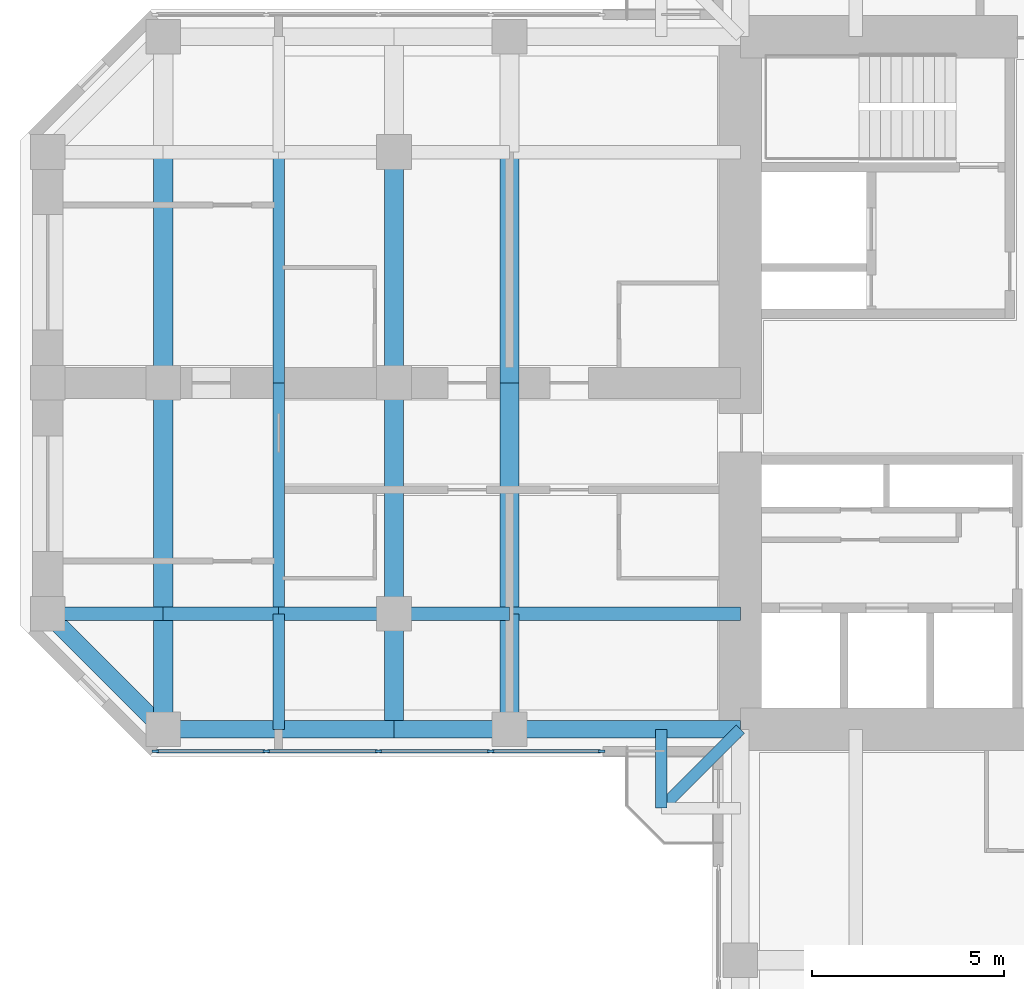
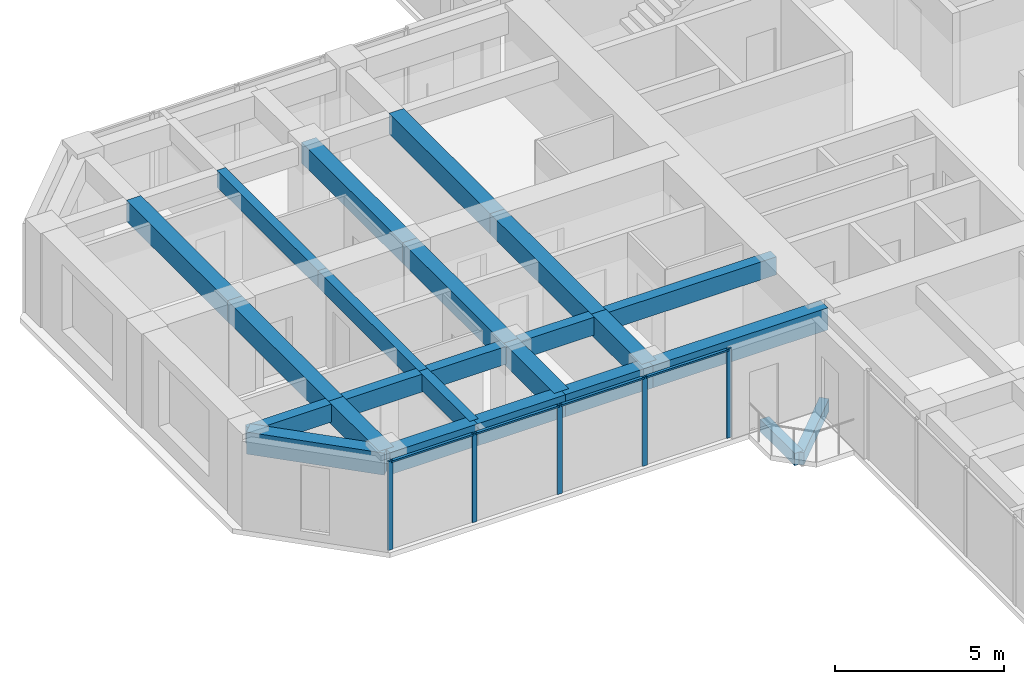
# One storey, part 3 of 13: 24 beams, 9 members, 1 element without a shape of its own.
"""IFC4 building model written with IfcOpenShell, lengths in metres."""

from ifc_helpers import new_model, si_unit, direction, frame, origin, origin_2d, place, context, subcontext, project, spatial, rectangle, extrude, material, material_profile, profile_set, type_object, element, aggregate, save


model = new_model("IFC4")

# Units and contexts
model_context = context("Model", 3, precision=1e-05, world=origin(), true_north=direction((0.0, 1.0)))
body_context = subcontext(model_context, "Body", "Model", "MODEL_VIEW")
ifc_project = project(units=[si_unit("LENGTHUNIT", "METRE"), si_unit("AREAUNIT", "SQUARE_METRE"), si_unit("VOLUMEUNIT", "CUBIC_METRE"), si_unit("PLANEANGLEUNIT", "RADIAN"), si_unit("MASSUNIT", "GRAM", prefix="KILO")], contexts=[model_context])

# Site, building, storey
site_placement = place(None, origin())
site = spatial("IfcSite", under=ifc_project, at=site_placement, CompositionType="ELEMENT")
building_placement = place(site_placement, origin())
building = spatial("IfcBuilding", under=site, at=building_placement, Name="Torre Cruceta", CompositionType="ELEMENT")
storey_placement = place(building_placement, frame((0.0, 0.0, 189.89990234375)))
storey = spatial("IfcBuildingStorey", under=building, at=storey_placement, Name="L47", CompositionType="ELEMENT", Elevation=189.89990234375)

# Beams
ifc_material_1 = material(Name="Concrete G60 (fck 60 MPa)", Category="concrete")
ifc_material_profile_1 = material_profile(ifc_material_1, rectangle(XDim=0.300048828125, YDim=0.449951171875, at=origin_2d()), Name="RC 300X450")
ifc_profile_set_1 = profile_set([ifc_material_profile_1], Name="Concrete G60 (fck 60 MPa)")
beam_type_1 = type_object("IfcBeamType", Name="BALCONY CANTILEVER BEAM RC 300X450", PredefinedType="BEAM", material=ifc_profile_set_1)
beam_1_placement = place(storey_placement, frame((-9.0, -9.0, -0.40478515625), z_axis=(-0.707106781187, -0.707106781187, 0.0), x_axis=(0.707106781187, -0.707106781187, 0.0)))
element("IfcBeam", 1, at=beam_1_placement, inside=storey, type_object=beam_type_1, Name="BB1 balcony beam L47 W", PredefinedType="BEAM", context=body_context, shape_type="SweptSolid", body=[
    extrude(rectangle(XDim=0.300048828125, YDim=0.449951171875, at=origin_2d()), origin(), (0.0, 0.0, 1.0), 2.89990234375),
])
beam_2_placement = place(storey_placement, frame((-11.050537109375, -9.0, -0.40478515625), z_axis=(0.0, -1.0, 0.0), x_axis=(1.0, 0.0, 0.0)))
element("IfcBeam", 2, at=beam_2_placement, inside=storey, type_object=beam_type_1, Name="BB1 balcony edge beam L47 W-X", PredefinedType="BEAM", context=body_context, shape_type="SweptSolid", body=[
    extrude(rectangle(XDim=0.300048828125, YDim=0.449951171875, at=origin_2d()), origin(), (0.0, 0.0, 1.0), 2.050537109375),
])
ifc_material_2 = material(Name="Concrete G60 (fck 60 MPa)", Category="concrete")
ifc_material_profile_2 = material_profile(ifc_material_2, rectangle(XDim=0.35009765625, YDim=0.64990234375, at=origin_2d()), Name="RC 350X650")
ifc_profile_set_2 = profile_set([ifc_material_profile_2], Name="Concrete G60 (fck 60 MPa)")
beam_type_2 = type_object("IfcBeamType", Name="COLUMN LINE BEAM RC 350X650", PredefinedType="BEAM", material=ifc_profile_set_2)
beam_3_placement = place(storey_placement, frame((-9.0, -6.0, 2.89501953125), z_axis=(-1.0, 0.0, 0.0), x_axis=(0.0, -1.0, 0.0)))
element("IfcBeam", 3, at=beam_3_placement, inside=storey, type_object=beam_type_2, Name="LB7 L47 W col+ 1", PredefinedType="BEAM", context=body_context, shape_type="SweptSolid", body=[
    extrude(rectangle(XDim=0.35009765625, YDim=0.64990234375, at=origin_2d()), origin(), (0.0, 0.0, 1.0), 6.0),
])
for number, where, z_axis, x_axis, name in (
    (4, (-15.0, -6.0, 2.89501953125), (-1.0, 0.0, 0.0), (0.0, -1.0, 0.0), "LB7 L47 W col+ 2"),
    (5, (-18.0, -6.0, 2.89501953125), (-1.0, 0.0, 0.0), (0.0, -1.0, 0.0), "LB7 L47 W col+ 3"),
    (6, (-21.0, -6.0, 2.89501953125), (-1.0, 0.0, 0.0), (0.0, -1.0, 0.0), "LB7 L47 W col+ 4"),
    (7, (-24.0, -6.0, 2.89501953125), (-1.0, 0.0, 0.0), (0.0, -1.0, 0.0), "LB7 L47 W col+ 5"),
):
    element("IfcBeam", number, at=place(storey_placement, frame(where, z_axis=z_axis, x_axis=x_axis)), inside=storey, type_object=beam_type_2, Name=name, PredefinedType="BEAM", context=body_context, shape_type="SweptSolid", body=[
        extrude(rectangle(XDim=0.35009765625, YDim=0.64990234375, at=origin_2d()), origin(), (0.0, 0.0, 1.0), 3.0),
    ])
ifc_material_3 = material(Name="Concrete G60 (fck 60 MPa)", Category="concrete")
ifc_material_profile_3 = material_profile(ifc_material_3, rectangle(XDim=0.5, YDim=0.75, at=origin_2d()), Name="RC 500X750")
ifc_profile_set_3 = profile_set([ifc_material_profile_3], Name="Concrete G60 (fck 60 MPa)")
beam_type_3 = type_object("IfcBeamType", Name="CROSS BEAM RC 500X750", PredefinedType="BEAM", material=ifc_profile_set_3)
for number, where, z_axis, x_axis, name in (
    (8, (-15.0, 6.0, 2.84521484375), (0.0, -1.0, 0.0), (1.0, 0.0, 0.0), "GB6 L47 W cross15 2"),
    (9, (-15.0, 0.0, 2.84521484375), (0.0, -1.0, 0.0), (1.0, 0.0, 0.0), "GB6 L47 W cross15 3"),
):
    element("IfcBeam", number, at=place(storey_placement, frame(where, z_axis=z_axis, x_axis=x_axis)), inside=storey, type_object=beam_type_3, Name=name, PredefinedType="BEAM", context=body_context, shape_type="SweptSolid", body=[
        extrude(rectangle(XDim=0.5, YDim=0.75, at=origin_2d()), origin(), (0.0, 0.0, 1.0), 6.0),
    ])
beam_4_placement = place(storey_placement, frame((-15.0, -6.0, 2.84521484375), z_axis=(0.0, -1.0, 0.0), x_axis=(1.0, 0.0, 0.0)))
element("IfcBeam", 10, at=beam_4_placement, inside=storey, type_object=beam_type_3, Name="GB6 L47 W cross15 4", PredefinedType="BEAM", context=body_context, shape_type="SweptSolid", body=[
    extrude(rectangle(XDim=0.5, YDim=0.75, at=origin_2d()), origin(), (0.0, 0.0, 1.0), 3.0),
])
for number, where, z_axis, x_axis, name in (
    (11, (-18.0, 6.0, 2.84521484375), (0.0, -1.0, 0.0), (1.0, 0.0, 0.0), "GB6 L47 W cross18 2"),
    (12, (-18.0, 0.0, 2.84521484375), (0.0, -1.0, 0.0), (1.0, 0.0, 0.0), "GB6 L47 W cross18 3"),
):
    element("IfcBeam", number, at=place(storey_placement, frame(where, z_axis=z_axis, x_axis=x_axis)), inside=storey, type_object=beam_type_3, Name=name, PredefinedType="BEAM", context=body_context, shape_type="SweptSolid", body=[
        extrude(rectangle(XDim=0.5, YDim=0.75, at=origin_2d()), origin(), (0.0, 0.0, 1.0), 6.0),
    ])
beam_5_placement = place(storey_placement, frame((-18.0, -6.0, 2.84521484375), z_axis=(0.0, -1.0, 0.0), x_axis=(1.0, 0.0, 0.0)))
element("IfcBeam", 13, at=beam_5_placement, inside=storey, type_object=beam_type_3, Name="GB6 L47 W cross18 4", PredefinedType="BEAM", context=body_context, shape_type="SweptSolid", body=[
    extrude(rectangle(XDim=0.5, YDim=0.75, at=origin_2d()), origin(), (0.0, 0.0, 1.0), 3.0),
])
for number, where, z_axis, x_axis, name in (
    (14, (-24.0, 6.0, 2.84521484375), (0.0, -1.0, 0.0), (1.0, 0.0, 0.0), "GB6 L47 W cross24 2"),
    (15, (-24.0, 0.0, 2.84521484375), (0.0, -1.0, 0.0), (1.0, 0.0, 0.0), "GB6 L47 W cross24 3"),
):
    element("IfcBeam", number, at=place(storey_placement, frame(where, z_axis=z_axis, x_axis=x_axis)), inside=storey, type_object=beam_type_3, Name=name, PredefinedType="BEAM", context=body_context, shape_type="SweptSolid", body=[
        extrude(rectangle(XDim=0.5, YDim=0.75, at=origin_2d()), origin(), (0.0, 0.0, 1.0), 6.0),
    ])
beam_6_placement = place(storey_placement, frame((-24.0, -6.0, 2.84521484375), z_axis=(0.0, -1.0, 0.0), x_axis=(1.0, 0.0, 0.0)))
element("IfcBeam", 16, at=beam_6_placement, inside=storey, type_object=beam_type_3, Name="GB6 L47 W cross24 4", PredefinedType="BEAM", context=body_context, shape_type="SweptSolid", body=[
    extrude(rectangle(XDim=0.5, YDim=0.75, at=origin_2d()), origin(), (0.0, 0.0, 1.0), 3.0),
])

# Curtain wall, members
ifc_material_4 = material(Name="Aluminium unitised curtain wall", Category="aluminium")
curtain_wall_type = type_object("IfcCurtainWallType", Name="CURTAIN WALL CW-C CO-LIVING", PredefinedType="USERDEFINED", material=ifc_material_4)
curtain_wall_placement = place(storey_placement, origin())
curtain_wall = element("IfcCurtainWall", 17, at=curtain_wall_placement, inside=storey, type_object=curtain_wall_type, Name="CW-C L47 W side 14", ObjectType="UNITISED", PredefinedType="USERDEFINED")
ifc_material_5 = material(Name="Aluminium mullion", Category="aluminium")
ifc_material_profile_4 = material_profile(ifc_material_5, rectangle(XDim=0.06005859375, YDim=0.159912109375, at=origin_2d()), Name="AL 60X160")
ifc_profile_set_4 = profile_set([ifc_material_profile_4], Name="Aluminium mullion")
member_type_1 = type_object("IfcMemberType", Name="CW-C MULLION 60X160", PredefinedType="MULLION", material=ifc_profile_set_4)
member_1_placement = place(storey_placement, frame((-24.2060546875, -9.570068359375, 0.0), z_axis=(0.0, 0.0, 1.0), x_axis=(0.0, 1.0, 0.0)))
member_1 = element("IfcMember", 18, at=member_1_placement, type_object=member_type_1, Name="CW-C mullion 1", PredefinedType="MULLION", context=body_context, shape_type="SweptSolid", body=[
    extrude(rectangle(XDim=0.06005859375, YDim=0.159912109375, at=origin_2d()), origin(), (0.0, 0.0, 1.0), 3.22021484375),
])
member_2_placement = place(storey_placement, frame((-21.319580078125, -9.570068359375, 0.0), z_axis=(0.0, 0.0, 1.0), x_axis=(0.0, 1.0, 0.0)))
member_2 = element("IfcMember", 19, at=member_2_placement, type_object=member_type_1, Name="CW-C mullion 2", PredefinedType="MULLION", context=body_context, shape_type="SweptSolid", body=[
    extrude(rectangle(XDim=0.06005859375, YDim=0.159912109375, at=origin_2d()), origin(), (0.0, 0.0, 1.0), 3.22021484375),
])
member_3_placement = place(storey_placement, frame((-18.403076171875, -9.570068359375, 0.0), z_axis=(0.0, 0.0, 1.0), x_axis=(0.0, 1.0, 0.0)))
member_3 = element("IfcMember", 20, at=member_3_placement, type_object=member_type_1, Name="CW-C mullion 3", PredefinedType="MULLION", context=body_context, shape_type="SweptSolid", body=[
    extrude(rectangle(XDim=0.06005859375, YDim=0.159912109375, at=origin_2d()), origin(), (0.0, 0.0, 1.0), 3.22021484375),
])
member_4_placement = place(storey_placement, frame((-15.486572265625, -9.570068359375, 0.0), z_axis=(0.0, 0.0, 1.0), x_axis=(0.0, 1.0, 0.0)))
member_4 = element("IfcMember", 21, at=member_4_placement, type_object=member_type_1, Name="CW-C mullion 4", PredefinedType="MULLION", context=body_context, shape_type="SweptSolid", body=[
    extrude(rectangle(XDim=0.06005859375, YDim=0.159912109375, at=origin_2d()), origin(), (0.0, 0.0, 1.0), 3.22021484375),
])
member_5_placement = place(storey_placement, frame((-12.60009765625, -9.570068359375, 0.0), z_axis=(0.0, 0.0, 1.0), x_axis=(0.0, 1.0, 0.0)))
member_5 = element("IfcMember", 22, at=member_5_placement, type_object=member_type_1, Name="CW-C mullion 5", PredefinedType="MULLION", context=body_context, shape_type="SweptSolid", body=[
    extrude(rectangle(XDim=0.06005859375, YDim=0.159912109375, at=origin_2d()), origin(), (0.0, 0.0, 1.0), 3.22021484375),
])
ifc_material_6 = material(Name="Aluminium transom", Category="aluminium")
ifc_material_profile_5 = material_profile(ifc_material_6, rectangle(XDim=0.10009765625, YDim=0.06005859375, at=origin_2d()), Name="AL 100X60")
ifc_profile_set_5 = profile_set([ifc_material_profile_5], Name="Aluminium transom")
member_type_2 = type_object("IfcMemberType", Name="CW-C TRANSOM 60X100", PredefinedType="USERDEFINED", material=ifc_profile_set_5)
member_6_placement = place(storey_placement, frame((-24.176025390625, -9.570068359375, 3.190185546875), z_axis=(1.0, 0.0, 0.0), x_axis=(0.0, 1.0, 0.0)))
member_6 = element("IfcMember", 23, at=member_6_placement, type_object=member_type_2, Name="CW-C transom 1", ObjectType="TRANSOM", PredefinedType="USERDEFINED", context=body_context, shape_type="SweptSolid", body=[
    extrude(rectangle(XDim=0.10009765625, YDim=0.06005859375, at=origin_2d()), origin(), (0.0, 0.0, 1.0), 2.826416015625),
])
member_7_placement = place(storey_placement, frame((-21.28955078125, -9.570068359375, 3.190185546875), z_axis=(1.0, 0.0, 0.0), x_axis=(0.0, 1.0, 0.0)))
member_7 = element("IfcMember", 24, at=member_7_placement, type_object=member_type_2, Name="CW-C transom 2", ObjectType="TRANSOM", PredefinedType="USERDEFINED", context=body_context, shape_type="SweptSolid", body=[
    extrude(rectangle(XDim=0.10009765625, YDim=0.06005859375, at=origin_2d()), origin(), (0.0, 0.0, 1.0), 2.8564453125),
])
member_8_placement = place(storey_placement, frame((-18.373046875, -9.570068359375, 3.190185546875), z_axis=(1.0, 0.0, 0.0), x_axis=(0.0, 1.0, 0.0)))
member_8 = element("IfcMember", 25, at=member_8_placement, type_object=member_type_2, Name="CW-C transom 3", ObjectType="TRANSOM", PredefinedType="USERDEFINED", context=body_context, shape_type="SweptSolid", body=[
    extrude(rectangle(XDim=0.10009765625, YDim=0.06005859375, at=origin_2d()), origin(), (0.0, 0.0, 1.0), 2.8564453125),
])
member_9_placement = place(storey_placement, frame((-15.45654296875, -9.570068359375, 3.190185546875), z_axis=(1.0, 0.0, 0.0), x_axis=(0.0, 1.0, 0.0)))
member_9 = element("IfcMember", 26, at=member_9_placement, type_object=member_type_2, Name="CW-C transom 4", ObjectType="TRANSOM", PredefinedType="USERDEFINED", context=body_context, shape_type="SweptSolid", body=[
    extrude(rectangle(XDim=0.10009765625, YDim=0.06005859375, at=origin_2d()), origin(), (0.0, 0.0, 1.0), 2.82666015625),
])
aggregate(curtain_wall, [member_1, member_2, member_3, member_4, member_5, member_6, member_7, member_8, member_9])

# Beams
ifc_material_7 = material(Name="Concrete G60 (fck 60 MPa)", Category="concrete")
ifc_material_profile_6 = material_profile(ifc_material_7, rectangle(XDim=0.300048828125, YDim=0.60009765625, at=origin_2d()), Name="RC 300X600")
ifc_profile_set_6 = profile_set([ifc_material_profile_6], Name="Concrete G60 (fck 60 MPa)")
beam_type_4 = type_object("IfcBeamType", Name="SECONDARY BEAM RC 300X600", PredefinedType="JOIST", material=ifc_profile_set_6)
for number, where, z_axis, x_axis, name in (
    (27, (-21.0, 6.0, 2.920166015625), (0.0, -1.0, 0.0), (1.0, 0.0, 0.0), "JB6 L47 W sec21 2"),
    (28, (-21.0, 0.0, 2.920166015625), (0.0, -1.0, 0.0), (1.0, 0.0, 0.0), "JB6 L47 W sec21 3"),
):
    element("IfcBeam", number, at=place(storey_placement, frame(where, z_axis=z_axis, x_axis=x_axis)), inside=storey, type_object=beam_type_4, Name=name, PredefinedType="JOIST", context=body_context, shape_type="SweptSolid", body=[
        extrude(rectangle(XDim=0.300048828125, YDim=0.60009765625, at=origin_2d()), origin(), (0.0, 0.0, 1.0), 6.0),
    ])
beam_7_placement = place(storey_placement, frame((-21.0, -6.0, 2.920166015625), z_axis=(0.0, -1.0, 0.0), x_axis=(1.0, 0.0, 0.0)))
element("IfcBeam", 29, at=beam_7_placement, inside=storey, type_object=beam_type_4, Name="JB6 L47 W sec21 4", PredefinedType="JOIST", context=body_context, shape_type="SweptSolid", body=[
    extrude(rectangle(XDim=0.300048828125, YDim=0.60009765625, at=origin_2d()), origin(), (0.0, 0.0, 1.0), 3.0),
])
ifc_material_8 = material(Name="Concrete G60 (fck 60 MPa)", Category="concrete")
ifc_material_profile_7 = material_profile(ifc_material_8, rectangle(XDim=0.449951171875, YDim=0.800048828125, at=origin_2d()), Name="RC 450X800")
ifc_profile_set_7 = profile_set([ifc_material_profile_7], Name="Concrete G60 (fck 60 MPa)")
beam_type_5 = type_object("IfcBeamType", Name="SPANDREL BEAM RC 450X800", PredefinedType="SPANDREL", material=ifc_profile_set_7)
beam_8_placement = place(storey_placement, frame((-9.0, -9.0, 2.820068359375), z_axis=(-1.0, 0.0, 0.0), x_axis=(0.0, -1.0, 0.0)))
element("IfcBeam", 30, at=beam_8_placement, inside=storey, type_object=beam_type_5, Name="SB6 L47 W side+ 1", PredefinedType="SPANDREL", context=body_context, shape_type="SweptSolid", body=[
    extrude(rectangle(XDim=0.449951171875, YDim=0.800048828125, at=origin_2d()), origin(), (0.0, 0.0, 1.0), 6.0),
])
for number, where, z_axis, x_axis, name in (
    (31, (-15.0, -9.0, 2.820068359375), (-1.0, 0.0, 0.0), (0.0, -1.0, 0.0), "SB6 L47 W side+ 2"),
    (32, (-18.0, -9.0, 2.820068359375), (-1.0, 0.0, 0.0), (0.0, -1.0, 0.0), "SB6 L47 W side+ 3"),
    (33, (-21.0, -9.0, 2.820068359375), (-1.0, 0.0, 0.0), (0.0, -1.0, 0.0), "SB6 L47 W side+ 4"),
):
    element("IfcBeam", number, at=place(storey_placement, frame(where, z_axis=z_axis, x_axis=x_axis)), inside=storey, type_object=beam_type_5, Name=name, PredefinedType="SPANDREL", context=body_context, shape_type="SweptSolid", body=[
        extrude(rectangle(XDim=0.449951171875, YDim=0.800048828125, at=origin_2d()), origin(), (0.0, 0.0, 1.0), 3.0),
    ])
beam_9_placement = place(storey_placement, frame((-24.0, -9.0, 2.820068359375), z_axis=(-0.707106781187, 0.707106781187, 0.0), x_axis=(-0.707106781187, -0.707106781187, 0.0)))
element("IfcBeam", 34, at=beam_9_placement, inside=storey, type_object=beam_type_5, Name="SB6 L47 W side+ 5", PredefinedType="SPANDREL", context=body_context, shape_type="SweptSolid", body=[
    extrude(rectangle(XDim=0.449951171875, YDim=0.800048828125, at=origin_2d()), origin(), (0.0, 0.0, 1.0), 4.24267578125),
])

save(model, "model.ifc")
